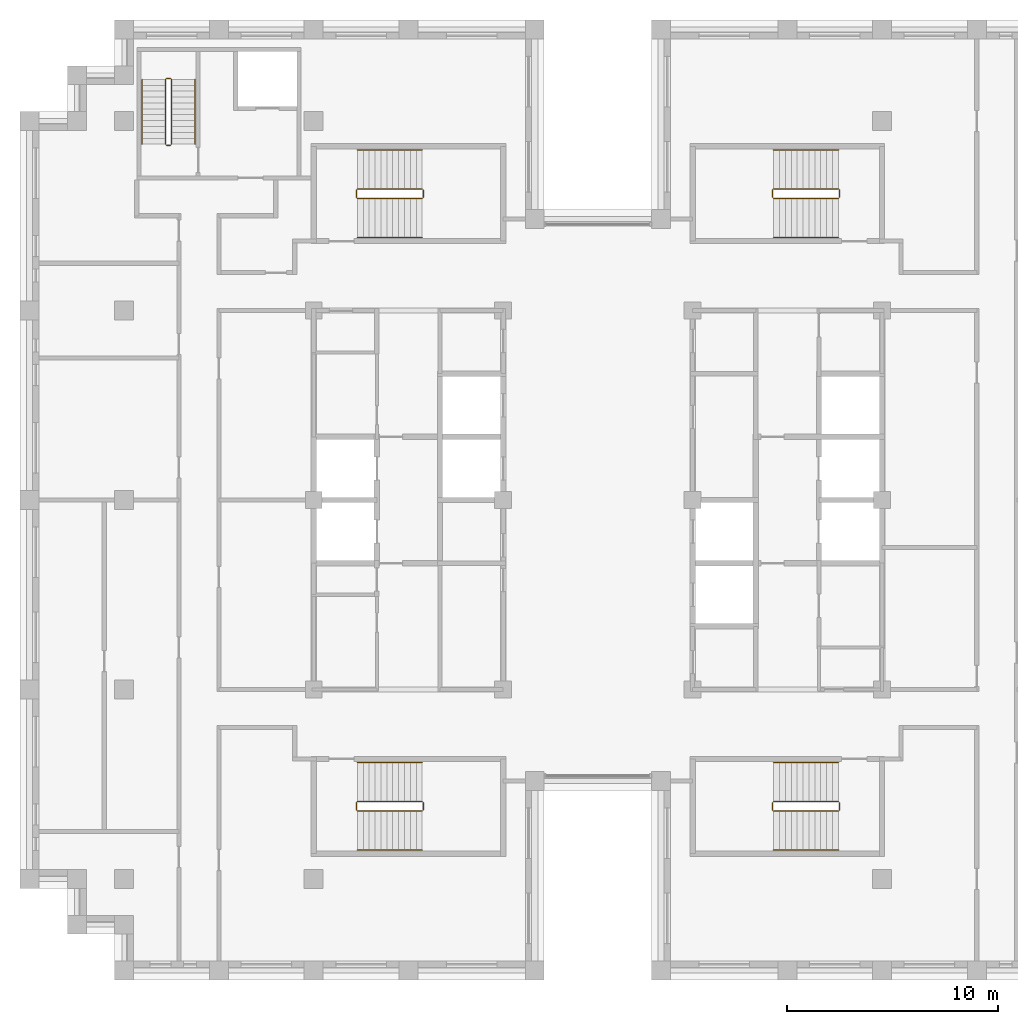
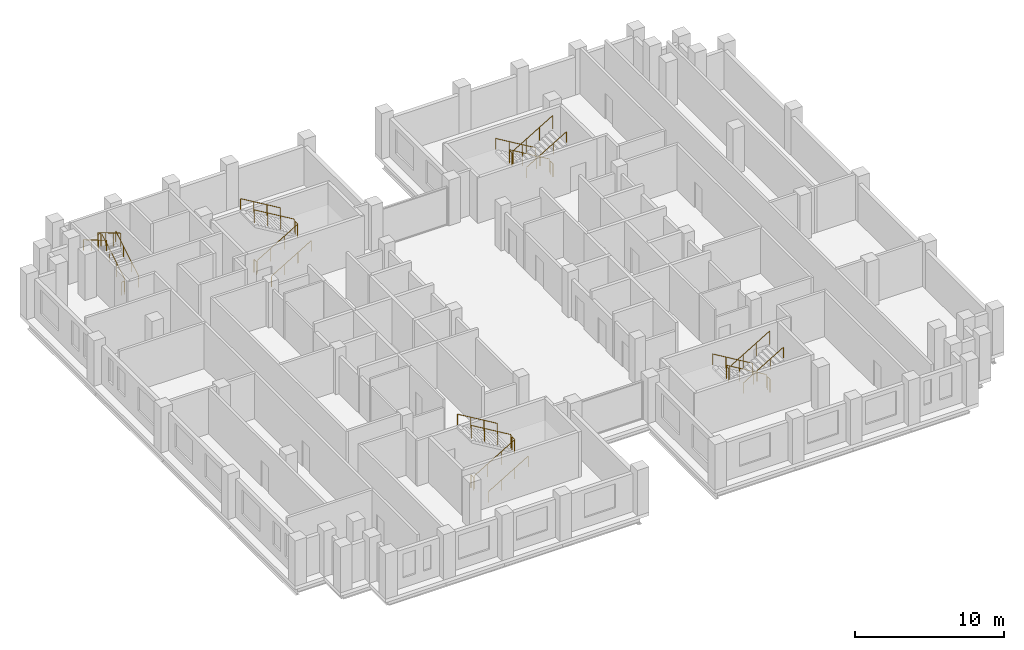
# One storey, part 13 of 13: 5 railings.
"""IFC4 building model written with IfcOpenShell, lengths in metres."""

import ifcopenshell
import ifcopenshell.guid

model = None  # the IFC model being written
_history = None  # IfcOwnerHistory: only IFC2X3 demands one
_inside = {}  # id of a spatial element -> (the spatial element, [elements in it])
_under = {}  # id of a project, library or spatial element -> (it, [spatial elements below it])
_declared = {}  # id of a project -> (the project, [libraries it declares])
_typed = {}  # id of a type object -> (the type object, [elements of that type])
_made_of = {}  # id of a material, layer set ... -> (it, [elements and type objects made of it])


def new_model(schema):
    """Start an empty IFC model of exactly this schema.

    Asked for "IFC4X3", IfcOpenShell would pick the latest addendum, in which some entities
    have other attributes; the version numbers below select the first issue.
    IFC2X3 requires an IfcOwnerHistory on every rooted entity: one is made here for all.
    """
    global model, _history
    if schema == "IFC4X3":
        model = ifcopenshell.file(schema_version=(4, 3, 0, 0))
    else:
        model = ifcopenshell.file(schema=schema)
    _inside.clear()
    _under.clear()
    _declared.clear()
    _typed.clear()
    _made_of.clear()
    _history = None
    if model.schema == "IFC2X3":
        org = make("IfcOrganization", Name="unknown")
        user = make(
            "IfcPersonAndOrganization",
            ThePerson=make("IfcPerson", FamilyName="unknown"),
            TheOrganization=org,
        )
        app = make(
            "IfcApplication",
            ApplicationDeveloper=org,
            Version="unknown",
            ApplicationFullName="unknown",
            ApplicationIdentifier="unknown",
        )
        _history = make(
            "IfcOwnerHistory",
            OwningUser=user,
            OwningApplication=app,
            ChangeAction="ADDED",
            CreationDate=0,
        )
    return model


def make(cls, **values):
    """One entity of the class cls with the attributes given. An attribute that is None is left unset."""
    return model.create_entity(
        cls, **{name: value for name, value in values.items() if value is not None}
    )


def rooted(cls, **values):
    """An entity with a GlobalId (a new one), such as an element, a storey or a relation."""
    return make(cls, GlobalId=ifcopenshell.guid.new(), OwnerHistory=_history, **values)


def si_unit(unit_type, name, prefix=None):
    """IfcSIUnit, for example si_unit("LENGTHUNIT", "METRE", prefix="MILLI")."""
    return make("IfcSIUnit", UnitType=unit_type, Prefix=prefix, Name=name)


def assignment(units):
    """IfcUnitAssignment: the units of a project."""
    return None if units is None else make("IfcUnitAssignment", Units=units)


def point(xyz):
    """IfcCartesianPoint."""
    return None if xyz is None else make("IfcCartesianPoint", Coordinates=xyz)


def direction(xyz):
    """IfcDirection."""
    return None if xyz is None else make("IfcDirection", DirectionRatios=xyz)


def frame(location, z_axis=None, x_axis=None):
    """IfcAxis2Placement3D, a coordinate frame: its origin and axes. An axis left out is left unset."""
    return make(
        "IfcAxis2Placement3D",
        Location=point(location),
        Axis=direction(z_axis),
        RefDirection=direction(x_axis),
    )


def frame_2d(location, x_axis=None):
    """IfcAxis2Placement2D, a coordinate frame in the plane: its origin and x axis."""
    return make(
        "IfcAxis2Placement2D", Location=point(location), RefDirection=direction(x_axis)
    )


def origin():
    """The frame at (0, 0, 0) with its axes left unset."""
    return frame((0.0, 0.0, 0.0))


def origin_2d():
    """The frame at (0, 0) in the plane with its x axis left unset."""
    return frame_2d((0.0, 0.0))


def place(relative_to, where):
    """IfcLocalPlacement: puts the frame where relative to a parent placement (None: the world)."""
    return make(
        "IfcLocalPlacement", PlacementRelTo=relative_to, RelativePlacement=where
    )


def context(
    kind, dimensions, precision=None, world=None, true_north=None, identifier=None
):
    """IfcGeometricRepresentationContext, for example the 3D "Model" context."""
    return make(
        "IfcGeometricRepresentationContext",
        ContextIdentifier=identifier,
        ContextType=kind,
        CoordinateSpaceDimension=dimensions,
        Precision=precision,
        WorldCoordinateSystem=world,
        TrueNorth=true_north,
    )


def subcontext(parent, identifier, kind, view, scale=None):
    """IfcGeometricRepresentationSubContext, for example "Body" below "Model"."""
    return make(
        "IfcGeometricRepresentationSubContext",
        ContextIdentifier=identifier,
        ContextType=kind,
        ParentContext=parent,
        TargetScale=scale,
        TargetView=view,
    )


def project(units=None, contexts=None):
    """IfcProject with its units and contexts."""
    return rooted(
        "IfcProject",
        Name="project",
        RepresentationContexts=contexts,
        UnitsInContext=assignment(units),
    )


def spatial(cls, under=None, at=None, **own):
    """A site, building, storey or space (cls), placed at a placement, below another one or the project."""
    s = rooted(cls, ObjectPlacement=at, **own)
    if under is not None:
        _under.setdefault(under.id(), (under, []))[1].append(s)
    return s


def profile(cls, at=None, kind="AREA", **sizes):
    """A parametric profile (cls). Its sizes go by their IFC names, for example OverallWidth=200.0."""
    return make(cls, ProfileType=kind, Position=at, **sizes)


def circle(**sizes):
    """IfcCircleProfileDef."""
    return profile("IfcCircleProfileDef", **sizes)


def extrude(swept, where, along, depth):
    """IfcExtrudedAreaSolid: the profile swept, set in the frame where, extruded along a direction by depth."""
    return make(
        "IfcExtrudedAreaSolid",
        SweptArea=swept,
        Position=where,
        ExtrudedDirection=direction(along),
        Depth=depth,
    )


def shape(context_of_items, identifier, shape_type, items):
    """IfcShapeRepresentation: the items that make up one representation, for example the "Body"."""
    return make(
        "IfcShapeRepresentation",
        ContextOfItems=context_of_items,
        RepresentationIdentifier=identifier,
        RepresentationType=shape_type,
        Items=items,
    )


def material(Name=None, Category=None):
    """IfcMaterial."""
    return make("IfcMaterial", Name=Name, Category=Category)


def made_of(thing, what):
    """Note that an element or type object is made of a material, layer set ...; save() writes the relation."""
    if what is not None:
        _made_of.setdefault(what.id(), (what, []))[1].append(thing)
    return thing


def type_object(cls, material=None, **own):
    """A type object (cls), such as IfcWallType, which elements share."""
    return made_of(rooted(cls, **own), material)


def element(
    cls,
    number,
    at=None,
    inside=None,
    cuts=None,
    type_object=None,
    material=None,
    context=None,
    identifier="Body",
    shape_type=None,
    held_by="IfcProductDefinitionShape",
    body=None,
    shapes=None,
    **own,
):
    """One element of the class cls, such as IfcWall. Its Tag is "e" and its number.

    at: its placement. inside: the storey or other place that contains it. cuts: it is an
    opening in that element (IfcRelVoidsElement). A single representation is given by context,
    identifier, shape_type and body (its items); several are given by shapes. held_by: the class
    of the entity that holds the representations. save() writes the other relations.
    """
    e = rooted(cls, Tag="e%d" % number, ObjectPlacement=at, **own)
    if body is not None:
        shapes = [shape(context, identifier, shape_type, body)]
    if shapes is not None:
        e.Representation = make(held_by, Representations=shapes)
    if inside is not None:
        _inside.setdefault(inside.id(), (inside, []))[1].append(e)
    if cuts is not None:
        rooted(
            "IfcRelVoidsElement", RelatingBuildingElement=cuts, RelatedOpeningElement=e
        )
    if type_object is not None:
        _typed.setdefault(type_object.id(), (type_object, []))[1].append(e)
    return made_of(e, material)


def aggregate(whole, parts):
    """IfcRelAggregates: a whole, such as a stair, and the parts it consists of."""
    return rooted("IfcRelAggregates", RelatingObject=whole, RelatedObjects=parts)


def save(model, path):
    """Write the relations noted so far, then the file.

    IfcRelAggregates (storeys below a building ...), IfcRelContainedInSpatialStructure (elements
    in a storey), IfcRelDefinesByType, IfcRelAssociatesMaterial and IfcRelDeclares: one each for
    every whole, place, type object, material and project.
    """
    for whole, parts in _under.values():
        aggregate(whole, parts)
    for where, things in _inside.values():
        rooted(
            "IfcRelContainedInSpatialStructure",
            RelatedElements=things,
            RelatingStructure=where,
        )
    for kind, things in _typed.values():
        rooted("IfcRelDefinesByType", RelatedObjects=things, RelatingType=kind)
    for what, things in _made_of.values():
        rooted("IfcRelAssociatesMaterial", RelatedObjects=things, RelatingMaterial=what)
    for by, libraries in _declared.values():
        rooted("IfcRelDeclares", RelatingContext=by, RelatedDefinitions=libraries)
    model.write(path)


model = new_model("IFC4")

# Units and contexts
model_context = context("Model", 3, precision=1e-05, world=origin(), true_north=direction((0.0, 1.0)))
body_context = subcontext(model_context, "Body", "Model", "MODEL_VIEW")
ifc_project = project(units=[si_unit("LENGTHUNIT", "METRE"), si_unit("AREAUNIT", "SQUARE_METRE"), si_unit("VOLUMEUNIT", "CUBIC_METRE"), si_unit("PLANEANGLEUNIT", "RADIAN"), si_unit("MASSUNIT", "GRAM", prefix="KILO")], contexts=[model_context])

# Site, building, storey
site_placement = place(None, origin())
site = spatial("IfcSite", under=ifc_project, at=site_placement, CompositionType="ELEMENT")
building_placement = place(site_placement, origin())
building = spatial("IfcBuilding", under=site, at=building_placement, Name="Corbelhall Arena Tower", CompositionType="ELEMENT")
storey_placement = place(building_placement, frame((0.0, 0.0, 274.0)))
storey = spatial("IfcBuildingStorey", under=building, at=storey_placement, Name="L59", CompositionType="ELEMENT", Elevation=274.0)

# Railings
ifc_material = material(Name="Steel ASTM A500 Gr C", Category="steel")
railing_type = type_object("IfcRailingType", Name="IN-GD-1100", PredefinedType="GUARDRAIL", material=ifc_material)
railing_1_placement = place(storey_placement, frame((-11.425048828125, 14.324951171875, 0.166748046875)))
element("IfcRailing", 1, at=railing_1_placement, inside=storey, type_object=railing_type, Name="L59 ST1 stair guards and handrails", PredefinedType="GUARDRAIL", context=body_context, shape_type="SweptSolid", body=[
    extrude(circle(Radius=0.02392578125, at=origin_2d()), frame((0.0, 0.0, 1.076171875), z_axis=(0.859308565015, 0.0, 0.511457515432), x_axis=(0.0, 1.0, 0.0)), (0.0, 0.0, 1.0), 3.58447265625),
    extrude(circle(Radius=0.02392578125, at=origin_2d()), frame((3.130126953125, 0.050048828125, 2.9091796875), z_axis=(0.0, 1.0, 0.0), x_axis=(-1.0, 0.0, 0.0)), (0.0, 0.0, 1.0), 0.35009765625),
    extrude(circle(Radius=0.02392578125, at=origin_2d()), frame((3.080078125, 0.449951171875, 3.076171875), z_axis=(-0.859308565015, 0.0, 0.511457515432), x_axis=(0.0, -1.0, 0.0)), (0.0, 0.0, 1.0), 3.58447265625),
    extrude(circle(Radius=0.02392578125, at=origin_2d()), frame((-0.050048828125, 0.050048828125, 0.9091796875), z_axis=(0.0, 1.0, 0.0), x_axis=(-1.0, 0.0, 0.0)), (0.0, 0.0, 1.0), 0.35009765625),
    extrude(circle(Radius=0.02392578125, at=origin_2d()), frame((0.0, -1.849853515625, 0.8759765625), z_axis=(0.859308565015, 0.0, 0.511457515432), x_axis=(0.0, 1.0, 0.0)), (0.0, 0.0, 1.0), 3.58447265625),
    extrude(circle(Radius=0.02392578125, at=origin_2d()), frame((3.080078125, 2.300048828125, 2.8759765625), z_axis=(-0.859308565015, 0.0, 0.511457515432), x_axis=(0.0, -1.0, 0.0)), (0.0, 0.0, 1.0), 3.58447265625),
    extrude(circle(Radius=0.02099609375, at=origin_2d()), origin(), (0.0, 0.0, 1.0), 1.052001953125),
    extrude(circle(Radius=0.02099609375, at=origin_2d()), frame((1.026611328125, 0.0, 0.611083984375)), (0.0, 0.0, 1.0), 1.052001953125),
    extrude(circle(Radius=0.02099609375, at=origin_2d()), frame((2.053466796875, 0.0, 1.22216796875)), (0.0, 0.0, 1.0), 1.052001953125),
    extrude(circle(Radius=0.02099609375, at=origin_2d()), frame((3.080078125, 0.0, 1.833251953125)), (0.0, 0.0, 1.0), 1.052001953125),
    extrude(circle(Radius=0.02099609375, at=origin_2d()), frame((3.130126953125, 0.050048828125, 1.833251953125)), (0.0, 0.0, 1.0), 1.052001953125),
    extrude(circle(Radius=0.02099609375, at=origin_2d()), frame((3.130126953125, 0.400146484375, 1.833251953125)), (0.0, 0.0, 1.0), 1.052001953125),
    extrude(circle(Radius=0.02099609375, at=origin_2d()), frame((3.080078125, 0.449951171875, 2.0)), (0.0, 0.0, 1.0), 1.052001953125),
    extrude(circle(Radius=0.02099609375, at=origin_2d()), frame((2.053466796875, 0.449951171875, 2.611083984375)), (0.0, 0.0, 1.0), 1.052001953125),
    extrude(circle(Radius=0.02099609375, at=origin_2d()), frame((1.026611328125, 0.449951171875, 3.22216796875)), (0.0, 0.0, 1.0), 1.052001953125),
    extrude(circle(Radius=0.02099609375, at=origin_2d()), frame((0.0, 0.449951171875, 3.833251953125)), (0.0, 0.0, 1.0), 1.052001953125),
    extrude(circle(Radius=0.02099609375, at=origin_2d()), frame((-0.050048828125, 0.050048828125, -0.166748046875)), (0.0, 0.0, 1.0), 1.052001953125),
    extrude(circle(Radius=0.02099609375, at=origin_2d()), frame((-0.050048828125, 0.400146484375, -0.166748046875)), (0.0, 0.0, 1.0), 1.052001953125),
    extrude(circle(Radius=0.02099609375, at=origin_2d()), frame((0.0, -1.849853515625, 0.0)), (0.0, 0.0, 1.0), 0.851806640625),
    extrude(circle(Radius=0.02099609375, at=origin_2d()), frame((1.026611328125, -1.849853515625, 0.611083984375)), (0.0, 0.0, 1.0), 0.851806640625),
    extrude(circle(Radius=0.02099609375, at=origin_2d()), frame((2.053466796875, -1.849853515625, 1.22216796875)), (0.0, 0.0, 1.0), 0.851806640625),
    extrude(circle(Radius=0.02099609375, at=origin_2d()), frame((3.080078125, -1.849853515625, 1.833251953125)), (0.0, 0.0, 1.0), 0.851806640625),
    extrude(circle(Radius=0.02099609375, at=origin_2d()), frame((3.080078125, 2.300048828125, 2.0)), (0.0, 0.0, 1.0), 0.851806640625),
    extrude(circle(Radius=0.02099609375, at=origin_2d()), frame((2.053466796875, 2.300048828125, 2.611083984375)), (0.0, 0.0, 1.0), 0.851806640625),
    extrude(circle(Radius=0.02099609375, at=origin_2d()), frame((1.026611328125, 2.300048828125, 3.22216796875)), (0.0, 0.0, 1.0), 0.851806640625),
    extrude(circle(Radius=0.02099609375, at=origin_2d()), frame((0.0, 2.300048828125, 3.833251953125)), (0.0, 0.0, 1.0), 0.851806640625),
])
railing_2_placement = place(storey_placement, frame((-11.425048828125, -14.77490234375, 0.166748046875)))
element("IfcRailing", 2, at=railing_2_placement, inside=storey, type_object=railing_type, Name="L59 ST2 stair guards and handrails", PredefinedType="GUARDRAIL", context=body_context, shape_type="SweptSolid", body=[
    extrude(circle(Radius=0.02392578125, at=origin_2d()), frame((0.0, 0.0, 1.076171875), z_axis=(0.859308565015, 0.0, 0.511457515432), x_axis=(0.0, 1.0, 0.0)), (0.0, 0.0, 1.0), 3.58447265625),
    extrude(circle(Radius=0.02392578125, at=origin_2d()), frame((3.130126953125, 0.0498046875, 2.9091796875), z_axis=(0.0, 1.0, 0.0), x_axis=(-1.0, 0.0, 0.0)), (0.0, 0.0, 1.0), 0.35009765625),
    extrude(circle(Radius=0.02392578125, at=origin_2d()), frame((3.080078125, 0.449951171875, 3.076171875), z_axis=(-0.859308565015, 0.0, 0.511457515432), x_axis=(0.0, -1.0, 0.0)), (0.0, 0.0, 1.0), 3.58447265625),
    extrude(circle(Radius=0.02392578125, at=origin_2d()), frame((-0.050048828125, 0.0498046875, 0.9091796875), z_axis=(0.0, 1.0, 0.0), x_axis=(-1.0, 0.0, 0.0)), (0.0, 0.0, 1.0), 0.35009765625),
    extrude(circle(Radius=0.02392578125, at=origin_2d()), frame((0.0, -1.85009765625, 0.8759765625), z_axis=(0.859308565015, 0.0, 0.511457515432), x_axis=(0.0, 1.0, 0.0)), (0.0, 0.0, 1.0), 3.58447265625),
    extrude(circle(Radius=0.02392578125, at=origin_2d()), frame((3.080078125, 2.2998046875, 2.8759765625), z_axis=(-0.859308565015, 0.0, 0.511457515432), x_axis=(0.0, -1.0, 0.0)), (0.0, 0.0, 1.0), 3.58447265625),
    extrude(circle(Radius=0.02099609375, at=origin_2d()), origin(), (0.0, 0.0, 1.0), 1.052001953125),
    extrude(circle(Radius=0.02099609375, at=origin_2d()), frame((1.026611328125, 0.0, 0.611083984375)), (0.0, 0.0, 1.0), 1.052001953125),
    extrude(circle(Radius=0.02099609375, at=origin_2d()), frame((2.053466796875, 0.0, 1.22216796875)), (0.0, 0.0, 1.0), 1.052001953125),
    extrude(circle(Radius=0.02099609375, at=origin_2d()), frame((3.080078125, 0.0, 1.833251953125)), (0.0, 0.0, 1.0), 1.052001953125),
    extrude(circle(Radius=0.02099609375, at=origin_2d()), frame((3.130126953125, 0.0498046875, 1.833251953125)), (0.0, 0.0, 1.0), 1.052001953125),
    extrude(circle(Radius=0.02099609375, at=origin_2d()), frame((3.130126953125, 0.39990234375, 1.833251953125)), (0.0, 0.0, 1.0), 1.052001953125),
    extrude(circle(Radius=0.02099609375, at=origin_2d()), frame((3.080078125, 0.449951171875, 2.0)), (0.0, 0.0, 1.0), 1.052001953125),
    extrude(circle(Radius=0.02099609375, at=origin_2d()), frame((2.053466796875, 0.449951171875, 2.611083984375)), (0.0, 0.0, 1.0), 1.052001953125),
    extrude(circle(Radius=0.02099609375, at=origin_2d()), frame((1.026611328125, 0.449951171875, 3.22216796875)), (0.0, 0.0, 1.0), 1.052001953125),
    extrude(circle(Radius=0.02099609375, at=origin_2d()), frame((0.0, 0.449951171875, 3.833251953125)), (0.0, 0.0, 1.0), 1.052001953125),
    extrude(circle(Radius=0.02099609375, at=origin_2d()), frame((-0.050048828125, 0.0498046875, -0.166748046875)), (0.0, 0.0, 1.0), 1.052001953125),
    extrude(circle(Radius=0.02099609375, at=origin_2d()), frame((-0.050048828125, 0.39990234375, -0.166748046875)), (0.0, 0.0, 1.0), 1.052001953125),
    extrude(circle(Radius=0.02099609375, at=origin_2d()), frame((0.0, -1.85009765625, 0.0)), (0.0, 0.0, 1.0), 0.851806640625),
    extrude(circle(Radius=0.02099609375, at=origin_2d()), frame((1.026611328125, -1.85009765625, 0.611083984375)), (0.0, 0.0, 1.0), 0.851806640625),
    extrude(circle(Radius=0.02099609375, at=origin_2d()), frame((2.053466796875, -1.85009765625, 1.22216796875)), (0.0, 0.0, 1.0), 0.851806640625),
    extrude(circle(Radius=0.02099609375, at=origin_2d()), frame((3.080078125, -1.85009765625, 1.833251953125)), (0.0, 0.0, 1.0), 0.851806640625),
    extrude(circle(Radius=0.02099609375, at=origin_2d()), frame((3.080078125, 2.2998046875, 2.0)), (0.0, 0.0, 1.0), 0.851806640625),
    extrude(circle(Radius=0.02099609375, at=origin_2d()), frame((2.053466796875, 2.2998046875, 2.611083984375)), (0.0, 0.0, 1.0), 0.851806640625),
    extrude(circle(Radius=0.02099609375, at=origin_2d()), frame((1.026611328125, 2.2998046875, 3.22216796875)), (0.0, 0.0, 1.0), 0.851806640625),
    extrude(circle(Radius=0.02099609375, at=origin_2d()), frame((0.0, 2.2998046875, 3.833251953125)), (0.0, 0.0, 1.0), 0.851806640625),
])
railing_3_placement = place(storey_placement, frame((11.425048828125, 14.77490234375, 0.166748046875)))
element("IfcRailing", 3, at=railing_3_placement, inside=storey, type_object=railing_type, Name="L59 ST3 stair guards and handrails", PredefinedType="GUARDRAIL", context=body_context, shape_type="SweptSolid", body=[
    extrude(circle(Radius=0.02392578125, at=origin_2d()), frame((0.0, 0.0, 1.076171875), z_axis=(-0.859308565015, 0.0, 0.511457515432), x_axis=(0.0, -1.0, 0.0)), (0.0, 0.0, 1.0), 3.58447265625),
    extrude(circle(Radius=0.02392578125, at=origin_2d()), frame((-3.130126953125, -0.0498046875, 2.9091796875), z_axis=(0.0, -1.0, 0.0), x_axis=(1.0, 0.0, 0.0)), (0.0, 0.0, 1.0), 0.35009765625),
    extrude(circle(Radius=0.02392578125, at=origin_2d()), frame((-3.080078125, -0.449951171875, 3.076171875), z_axis=(0.859308565015, 0.0, 0.511457515432), x_axis=(0.0, 1.0, 0.0)), (0.0, 0.0, 1.0), 3.58447265625),
    extrude(circle(Radius=0.02392578125, at=origin_2d()), frame((0.050048828125, -0.0498046875, 0.9091796875), z_axis=(0.0, -1.0, 0.0), x_axis=(1.0, 0.0, 0.0)), (0.0, 0.0, 1.0), 0.35009765625),
    extrude(circle(Radius=0.02392578125, at=origin_2d()), frame((0.0, 1.85009765625, 0.8759765625), z_axis=(-0.859308565015, 0.0, 0.511457515432), x_axis=(0.0, -1.0, 0.0)), (0.0, 0.0, 1.0), 3.58447265625),
    extrude(circle(Radius=0.02392578125, at=origin_2d()), frame((-3.080078125, -2.2998046875, 2.8759765625), z_axis=(0.859308565015, 0.0, 0.511457515432), x_axis=(0.0, 1.0, 0.0)), (0.0, 0.0, 1.0), 3.58447265625),
    extrude(circle(Radius=0.02099609375, at=origin_2d()), origin(), (0.0, 0.0, 1.0), 1.052001953125),
    extrude(circle(Radius=0.02099609375, at=origin_2d()), frame((-1.026611328125, 0.0, 0.611083984375)), (0.0, 0.0, 1.0), 1.052001953125),
    extrude(circle(Radius=0.02099609375, at=origin_2d()), frame((-2.053466796875, 0.0, 1.22216796875)), (0.0, 0.0, 1.0), 1.052001953125),
    extrude(circle(Radius=0.02099609375, at=origin_2d()), frame((-3.080078125, 0.0, 1.833251953125)), (0.0, 0.0, 1.0), 1.052001953125),
    extrude(circle(Radius=0.02099609375, at=origin_2d()), frame((-3.130126953125, -0.0498046875, 1.833251953125)), (0.0, 0.0, 1.0), 1.052001953125),
    extrude(circle(Radius=0.02099609375, at=origin_2d()), frame((-3.130126953125, -0.39990234375, 1.833251953125)), (0.0, 0.0, 1.0), 1.052001953125),
    extrude(circle(Radius=0.02099609375, at=origin_2d()), frame((-3.080078125, -0.449951171875, 2.0)), (0.0, 0.0, 1.0), 1.052001953125),
    extrude(circle(Radius=0.02099609375, at=origin_2d()), frame((-2.053466796875, -0.449951171875, 2.611083984375)), (0.0, 0.0, 1.0), 1.052001953125),
    extrude(circle(Radius=0.02099609375, at=origin_2d()), frame((-1.026611328125, -0.449951171875, 3.22216796875)), (0.0, 0.0, 1.0), 1.052001953125),
    extrude(circle(Radius=0.02099609375, at=origin_2d()), frame((0.0, -0.449951171875, 3.833251953125)), (0.0, 0.0, 1.0), 1.052001953125),
    extrude(circle(Radius=0.02099609375, at=origin_2d()), frame((0.050048828125, -0.0498046875, -0.166748046875)), (0.0, 0.0, 1.0), 1.052001953125),
    extrude(circle(Radius=0.02099609375, at=origin_2d()), frame((0.050048828125, -0.39990234375, -0.166748046875)), (0.0, 0.0, 1.0), 1.052001953125),
    extrude(circle(Radius=0.02099609375, at=origin_2d()), frame((0.0, 1.85009765625, 0.0)), (0.0, 0.0, 1.0), 0.851806640625),
    extrude(circle(Radius=0.02099609375, at=origin_2d()), frame((-1.026611328125, 1.85009765625, 0.611083984375)), (0.0, 0.0, 1.0), 0.851806640625),
    extrude(circle(Radius=0.02099609375, at=origin_2d()), frame((-2.053466796875, 1.85009765625, 1.22216796875)), (0.0, 0.0, 1.0), 0.851806640625),
    extrude(circle(Radius=0.02099609375, at=origin_2d()), frame((-3.080078125, 1.85009765625, 1.833251953125)), (0.0, 0.0, 1.0), 0.851806640625),
    extrude(circle(Radius=0.02099609375, at=origin_2d()), frame((-3.080078125, -2.2998046875, 2.0)), (0.0, 0.0, 1.0), 0.851806640625),
    extrude(circle(Radius=0.02099609375, at=origin_2d()), frame((-2.053466796875, -2.2998046875, 2.611083984375)), (0.0, 0.0, 1.0), 0.851806640625),
    extrude(circle(Radius=0.02099609375, at=origin_2d()), frame((-1.026611328125, -2.2998046875, 3.22216796875)), (0.0, 0.0, 1.0), 0.851806640625),
    extrude(circle(Radius=0.02099609375, at=origin_2d()), frame((0.0, -2.2998046875, 3.833251953125)), (0.0, 0.0, 1.0), 0.851806640625),
])
railing_4_placement = place(storey_placement, frame((11.425048828125, -14.324951171875, 0.166748046875)))
element("IfcRailing", 4, at=railing_4_placement, inside=storey, type_object=railing_type, Name="L59 ST4 stair guards and handrails", PredefinedType="GUARDRAIL", context=body_context, shape_type="SweptSolid", body=[
    extrude(circle(Radius=0.02392578125, at=origin_2d()), frame((0.0, 0.0, 1.076171875), z_axis=(-0.859308565015, 0.0, 0.511457515432), x_axis=(0.0, -1.0, 0.0)), (0.0, 0.0, 1.0), 3.58447265625),
    extrude(circle(Radius=0.02392578125, at=origin_2d()), frame((-3.130126953125, -0.050048828125, 2.9091796875), z_axis=(0.0, -1.0, 0.0), x_axis=(1.0, 0.0, 0.0)), (0.0, 0.0, 1.0), 0.35009765625),
    extrude(circle(Radius=0.02392578125, at=origin_2d()), frame((-3.080078125, -0.449951171875, 3.076171875), z_axis=(0.859308565015, 0.0, 0.511457515432), x_axis=(0.0, 1.0, 0.0)), (0.0, 0.0, 1.0), 3.58447265625),
    extrude(circle(Radius=0.02392578125, at=origin_2d()), frame((0.050048828125, -0.050048828125, 0.9091796875), z_axis=(0.0, -1.0, 0.0), x_axis=(1.0, 0.0, 0.0)), (0.0, 0.0, 1.0), 0.35009765625),
    extrude(circle(Radius=0.02392578125, at=origin_2d()), frame((0.0, 1.849853515625, 0.8759765625), z_axis=(-0.859308565015, 0.0, 0.511457515432), x_axis=(0.0, -1.0, 0.0)), (0.0, 0.0, 1.0), 3.58447265625),
    extrude(circle(Radius=0.02392578125, at=origin_2d()), frame((-3.080078125, -2.300048828125, 2.8759765625), z_axis=(0.859308565015, 0.0, 0.511457515432), x_axis=(0.0, 1.0, 0.0)), (0.0, 0.0, 1.0), 3.58447265625),
    extrude(circle(Radius=0.02099609375, at=origin_2d()), origin(), (0.0, 0.0, 1.0), 1.052001953125),
    extrude(circle(Radius=0.02099609375, at=origin_2d()), frame((-1.026611328125, 0.0, 0.611083984375)), (0.0, 0.0, 1.0), 1.052001953125),
    extrude(circle(Radius=0.02099609375, at=origin_2d()), frame((-2.053466796875, 0.0, 1.22216796875)), (0.0, 0.0, 1.0), 1.052001953125),
    extrude(circle(Radius=0.02099609375, at=origin_2d()), frame((-3.080078125, 0.0, 1.833251953125)), (0.0, 0.0, 1.0), 1.052001953125),
    extrude(circle(Radius=0.02099609375, at=origin_2d()), frame((-3.130126953125, -0.050048828125, 1.833251953125)), (0.0, 0.0, 1.0), 1.052001953125),
    extrude(circle(Radius=0.02099609375, at=origin_2d()), frame((-3.130126953125, -0.400146484375, 1.833251953125)), (0.0, 0.0, 1.0), 1.052001953125),
    extrude(circle(Radius=0.02099609375, at=origin_2d()), frame((-3.080078125, -0.449951171875, 2.0)), (0.0, 0.0, 1.0), 1.052001953125),
    extrude(circle(Radius=0.02099609375, at=origin_2d()), frame((-2.053466796875, -0.449951171875, 2.611083984375)), (0.0, 0.0, 1.0), 1.052001953125),
    extrude(circle(Radius=0.02099609375, at=origin_2d()), frame((-1.026611328125, -0.449951171875, 3.22216796875)), (0.0, 0.0, 1.0), 1.052001953125),
    extrude(circle(Radius=0.02099609375, at=origin_2d()), frame((0.0, -0.449951171875, 3.833251953125)), (0.0, 0.0, 1.0), 1.052001953125),
    extrude(circle(Radius=0.02099609375, at=origin_2d()), frame((0.050048828125, -0.050048828125, -0.166748046875)), (0.0, 0.0, 1.0), 1.052001953125),
    extrude(circle(Radius=0.02099609375, at=origin_2d()), frame((0.050048828125, -0.400146484375, -0.166748046875)), (0.0, 0.0, 1.0), 1.052001953125),
    extrude(circle(Radius=0.02099609375, at=origin_2d()), frame((0.0, 1.849853515625, 0.0)), (0.0, 0.0, 1.0), 0.851806640625),
    extrude(circle(Radius=0.02099609375, at=origin_2d()), frame((-1.026611328125, 1.849853515625, 0.611083984375)), (0.0, 0.0, 1.0), 0.851806640625),
    extrude(circle(Radius=0.02099609375, at=origin_2d()), frame((-2.053466796875, 1.849853515625, 1.22216796875)), (0.0, 0.0, 1.0), 0.851806640625),
    extrude(circle(Radius=0.02099609375, at=origin_2d()), frame((-3.080078125, 1.849853515625, 1.833251953125)), (0.0, 0.0, 1.0), 0.851806640625),
    extrude(circle(Radius=0.02099609375, at=origin_2d()), frame((-3.080078125, -2.300048828125, 2.0)), (0.0, 0.0, 1.0), 0.851806640625),
    extrude(circle(Radius=0.02099609375, at=origin_2d()), frame((-2.053466796875, -2.300048828125, 2.611083984375)), (0.0, 0.0, 1.0), 0.851806640625),
    extrude(circle(Radius=0.02099609375, at=origin_2d()), frame((-1.026611328125, -2.300048828125, 3.22216796875)), (0.0, 0.0, 1.0), 0.851806640625),
    extrude(circle(Radius=0.02099609375, at=origin_2d()), frame((0.0, -2.300048828125, 3.833251953125)), (0.0, 0.0, 1.0), 0.851806640625),
])
railing_5_placement = place(storey_placement, frame((-20.2451171875, 16.89990234375, 0.166748046875)))
element("IfcRailing", 5, at=railing_5_placement, inside=storey, type_object=railing_type, Name="L59 ST5 stair guards and handrails", PredefinedType="GUARDRAIL", context=body_context, shape_type="SweptSolid", body=[
    extrude(circle(Radius=0.02392578125, at=origin_2d()), frame((0.0, 0.0, 1.076171875), z_axis=(0.0, 0.859308565015, 0.511457515432), x_axis=(-1.0, 0.0, 0.0)), (0.0, 0.0, 1.0), 3.58447265625),
    extrude(circle(Radius=0.02392578125, at=origin_2d()), frame((-0.0498046875, 3.130126953125, 2.9091796875), z_axis=(-1.0, 0.0, 0.0), x_axis=(0.0, -1.0, 0.0)), (0.0, 0.0, 1.0), 0.2001953125),
    extrude(circle(Radius=0.02392578125, at=origin_2d()), frame((-0.2998046875, 3.080078125, 3.076171875), z_axis=(0.0, -0.859308565015, 0.511457515432), x_axis=(1.0, 0.0, 0.0)), (0.0, 0.0, 1.0), 3.58447265625),
    extrude(circle(Radius=0.02392578125, at=origin_2d()), frame((-0.0498046875, -0.0498046875, 0.9091796875), z_axis=(-1.0, 0.0, 0.0), x_axis=(0.0, -1.0, 0.0)), (0.0, 0.0, 1.0), 0.2001953125),
    extrude(circle(Radius=0.02392578125, at=origin_2d()), frame((1.10009765625, 0.0, 0.8759765625), z_axis=(0.0, 0.859308565015, 0.511457515432), x_axis=(-1.0, 0.0, 0.0)), (0.0, 0.0, 1.0), 3.58447265625),
    extrude(circle(Radius=0.02392578125, at=origin_2d()), frame((-1.39990234375, 3.080078125, 2.8759765625), z_axis=(0.0, -0.859308565015, 0.511457515432), x_axis=(1.0, 0.0, 0.0)), (0.0, 0.0, 1.0), 3.58447265625),
    extrude(circle(Radius=0.02099609375, at=origin_2d()), origin(), (0.0, 0.0, 1.0), 1.052001953125),
    extrude(circle(Radius=0.02099609375, at=origin_2d()), frame((0.0, 1.026611328125, 0.611083984375)), (0.0, 0.0, 1.0), 1.052001953125),
    extrude(circle(Radius=0.02099609375, at=origin_2d()), frame((0.0, 2.053466796875, 1.22216796875)), (0.0, 0.0, 1.0), 1.052001953125),
    extrude(circle(Radius=0.02099609375, at=origin_2d()), frame((0.0, 3.080078125, 1.833251953125)), (0.0, 0.0, 1.0), 1.052001953125),
    extrude(circle(Radius=0.02099609375, at=origin_2d()), frame((-0.0498046875, 3.130126953125, 1.833251953125)), (0.0, 0.0, 1.0), 1.052001953125),
    extrude(circle(Radius=0.02099609375, at=origin_2d()), frame((-0.25, 3.130126953125, 1.833251953125)), (0.0, 0.0, 1.0), 1.052001953125),
    extrude(circle(Radius=0.02099609375, at=origin_2d()), frame((-0.2998046875, 3.080078125, 2.0)), (0.0, 0.0, 1.0), 1.052001953125),
    extrude(circle(Radius=0.02099609375, at=origin_2d()), frame((-0.2998046875, 2.053466796875, 2.611083984375)), (0.0, 0.0, 1.0), 1.052001953125),
    extrude(circle(Radius=0.02099609375, at=origin_2d()), frame((-0.2998046875, 1.026611328125, 3.22216796875)), (0.0, 0.0, 1.0), 1.052001953125),
    extrude(circle(Radius=0.02099609375, at=origin_2d()), frame((-0.2998046875, 0.0, 3.833251953125)), (0.0, 0.0, 1.0), 1.052001953125),
    extrude(circle(Radius=0.02099609375, at=origin_2d()), frame((-0.0498046875, -0.0498046875, -0.166748046875)), (0.0, 0.0, 1.0), 1.052001953125),
    extrude(circle(Radius=0.02099609375, at=origin_2d()), frame((-0.25, -0.0498046875, -0.166748046875)), (0.0, 0.0, 1.0), 1.052001953125),
    extrude(circle(Radius=0.02099609375, at=origin_2d()), frame((1.10009765625, 0.0, 0.0)), (0.0, 0.0, 1.0), 0.851806640625),
    extrude(circle(Radius=0.02099609375, at=origin_2d()), frame((1.10009765625, 1.026611328125, 0.611083984375)), (0.0, 0.0, 1.0), 0.851806640625),
    extrude(circle(Radius=0.02099609375, at=origin_2d()), frame((1.10009765625, 2.053466796875, 1.22216796875)), (0.0, 0.0, 1.0), 0.851806640625),
    extrude(circle(Radius=0.02099609375, at=origin_2d()), frame((1.10009765625, 3.080078125, 1.833251953125)), (0.0, 0.0, 1.0), 0.851806640625),
    extrude(circle(Radius=0.02099609375, at=origin_2d()), frame((-1.39990234375, 3.080078125, 2.0)), (0.0, 0.0, 1.0), 0.851806640625),
    extrude(circle(Radius=0.02099609375, at=origin_2d()), frame((-1.39990234375, 2.053466796875, 2.611083984375)), (0.0, 0.0, 1.0), 0.851806640625),
    extrude(circle(Radius=0.02099609375, at=origin_2d()), frame((-1.39990234375, 1.026611328125, 3.22216796875)), (0.0, 0.0, 1.0), 0.851806640625),
    extrude(circle(Radius=0.02099609375, at=origin_2d()), frame((-1.39990234375, 0.0, 3.833251953125)), (0.0, 0.0, 1.0), 0.851806640625),
])

save(model, "model.ifc")
